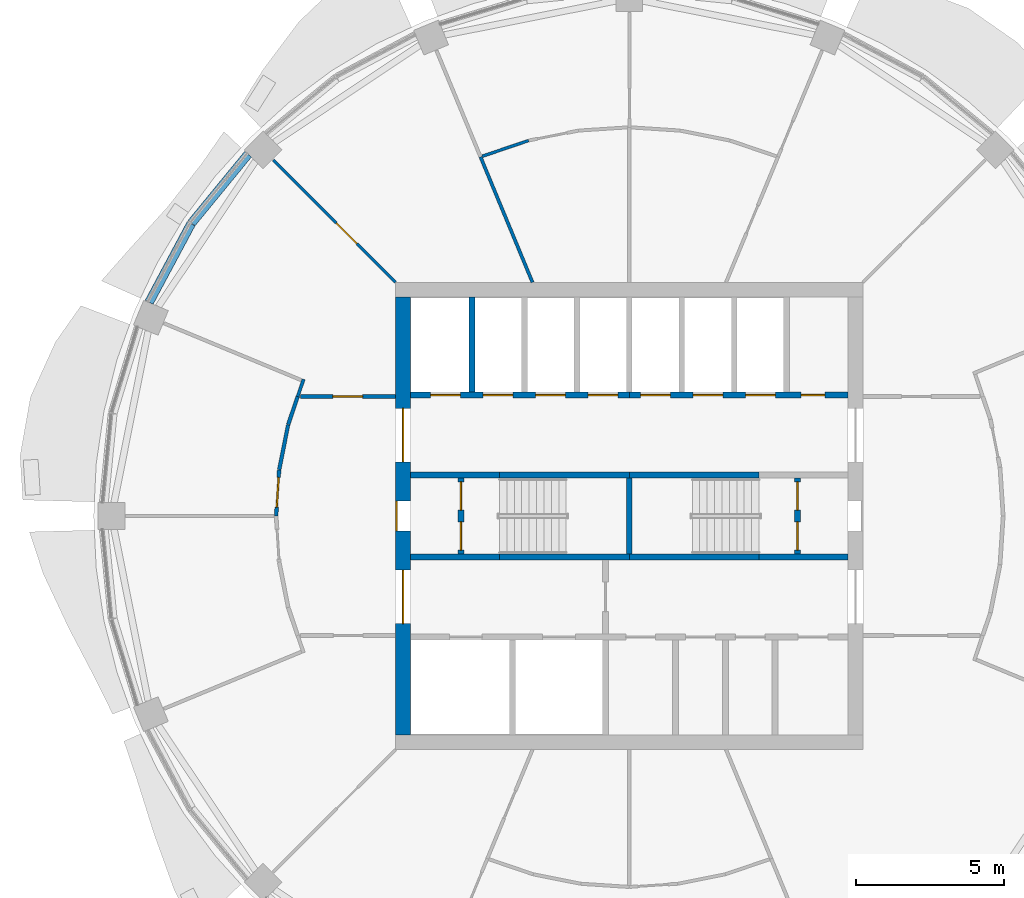
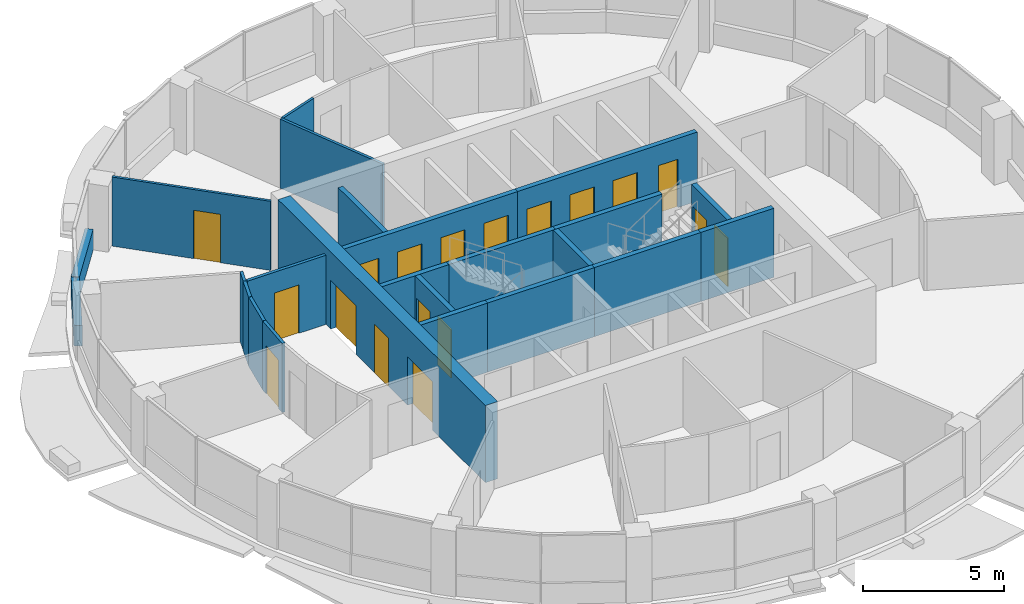
# One storey, part 9 of 15: 24 walls, 18 doors, 18 openings.
"""IFC4 building model written with IfcOpenShell, lengths in metres."""

from ifc_helpers import new_model, si_unit, direction, frame, frame_2d, origin, place, context, subcontext, project, spatial, rectangle, extrude, material, layer, layer_set, type_object, element, fill, save


model = new_model("IFC4")

# Units and contexts
model_context = context("Model", 3, precision=1e-05, world=origin(), true_north=direction((0.0, 1.0)))
body_context = subcontext(model_context, "Body", "Model", "MODEL_VIEW")
ifc_project = project(units=[si_unit("LENGTHUNIT", "METRE"), si_unit("AREAUNIT", "SQUARE_METRE"), si_unit("VOLUMEUNIT", "CUBIC_METRE"), si_unit("PLANEANGLEUNIT", "RADIAN"), si_unit("MASSUNIT", "GRAM", prefix="KILO")], contexts=[model_context])

# Site, building, storey
site_placement = place(None, origin())
site = spatial("IfcSite", under=ifc_project, at=site_placement, CompositionType="ELEMENT")
building_placement = place(site_placement, origin())
building = spatial("IfcBuilding", under=site, at=building_placement, Name="Polderwave Tower", CompositionType="ELEMENT")
storey_placement = place(building_placement, frame((0.0, 0.0, 191.0)))
storey = spatial("IfcBuildingStorey", under=building, at=storey_placement, Name="L51", CompositionType="ELEMENT", Elevation=191.0)

# Wall, openings, doors
ifc_material_1 = material(Name="Concrete C60/75", Category="concrete")
ifc_layer_1 = layer(ifc_material_1, 0.5)
ifc_layer_set_1 = layer_set([ifc_layer_1], Name="CORE WALL 500 C60/75")
wall_type_1 = type_object("IfcWallType", Name="CORE WALL 500 C60/75", PredefinedType="SHEAR", material=ifc_layer_set_1)
wall_1_placement = place(storey_placement, frame((-7.6240234375, -7.3740234375, 0.0), z_axis=(0.0, 0.0, 1.0), x_axis=(0.0, 1.0, 0.0)))
wall_1 = element("IfcWall", 1, at=wall_1_placement, inside=storey, type_object=wall_type_1, Name="ST-CORE-L51-W", PredefinedType="SHEAR", context=body_context, shape_type="SweptSolid", body=[
    extrude(rectangle(XDim=14.748046875, YDim=0.5, at=frame_2d((7.3740234375, 0.0))), origin(), (0.0, 0.0, 1.0), 3.35009765625),
])
opening_1_placement = place(wall_1_placement, frame((6.8740234375, 0.0, 0.0)))
opening_1 = element("IfcOpeningElement", 2, at=opening_1_placement, cuts=wall_1, Name="Opening L51-D20", PredefinedType="OPENING", context=body_context, shape_type="SweptSolid", body=[
    extrude(rectangle(XDim=1.0, YDim=2.10009765625, at=frame_2d((0.5, 1.050048828125))), frame((0.0, 0.260009765625, 0.0), z_axis=(0.0, -1.0, 0.0), x_axis=(1.0, 0.0, 0.0)), (0.0, 0.0, 1.0), 0.52001953125),
])
opening_2_placement = place(wall_1_placement, frame((3.74951171875, 0.0, 0.0)))
opening_2 = element("IfcOpeningElement", 3, at=opening_2_placement, cuts=wall_1, Name="Opening L51-D21", PredefinedType="OPENING", context=body_context, shape_type="SweptSolid", body=[
    extrude(rectangle(XDim=1.800048828125, YDim=2.10009765625, at=frame_2d((0.89990234375, 1.050048828125))), frame((0.0, 0.260009765625, 0.0), z_axis=(0.0, -1.0, 0.0), x_axis=(1.0, 0.0, 0.0)), (0.0, 0.0, 1.0), 0.52001953125),
])
opening_3_placement = place(wall_1_placement, frame((9.198486328125, 0.0, 0.0)))
opening_3 = element("IfcOpeningElement", 4, at=opening_3_placement, cuts=wall_1, Name="Opening L51-D22", PredefinedType="OPENING", context=body_context, shape_type="SweptSolid", body=[
    extrude(rectangle(XDim=1.800048828125, YDim=2.10009765625, at=frame_2d((0.89990234375, 1.050048828125))), frame((0.0, 0.260009765625, 0.0), z_axis=(0.0, -1.0, 0.0), x_axis=(1.0, 0.0, 0.0)), (0.0, 0.0, 1.0), 0.52001953125),
])
ifc_material_2 = material(Name="Steel fire door", Category="steel")
door_type_1 = type_object("IfcDoorType", Name="Lobby entry door pair 1800", OperationType="DOUBLE_DOOR_SINGLE_SWING", PredefinedType="DOOR", material=ifc_material_2)
door_1_placement = place(opening_2_placement, origin())
door_1 = element("IfcDoor", 5, at=door_1_placement, inside=storey, type_object=door_type_1, Name="Fire-fighting lobby entry door", OperationType="DOUBLE_DOOR_SINGLE_SWING", OverallHeight=2.10009765625, OverallWidth=1.800048828125, PredefinedType="DOOR", context=body_context, shape_type="SweptSolid", body=[
    extrude(rectangle(XDim=1.800048828125, YDim=2.10009765625, at=frame_2d((0.89990234375, 1.050048828125))), frame((0.0, 0.02490234375, 0.0), z_axis=(0.0, -1.0, 0.0), x_axis=(1.0, 0.0, 0.0)), (0.0, 0.0, 1.0), 0.050048828125),
])
fill(opening_2, door_1)
door_2_placement = place(opening_3_placement, origin())
door_2 = element("IfcDoor", 6, at=door_2_placement, inside=storey, type_object=door_type_1, Name="North lobby entry door", OperationType="DOUBLE_DOOR_SINGLE_SWING", OverallHeight=2.10009765625, OverallWidth=1.800048828125, PredefinedType="DOOR", context=body_context, shape_type="SweptSolid", body=[
    extrude(rectangle(XDim=1.800048828125, YDim=2.10009765625, at=frame_2d((0.89990234375, 1.050048828125))), frame((0.0, 0.02490234375, 0.0), z_axis=(0.0, -1.0, 0.0), x_axis=(1.0, 0.0, 0.0)), (0.0, 0.0, 1.0), 0.050048828125),
])
fill(opening_3, door_2)
door_type_2 = type_object("IfcDoorType", Name="Stair door 1000", OperationType="NOTDEFINED", PredefinedType="DOOR", material=ifc_material_2)
door_3_placement = place(opening_1_placement, origin())
door_3 = element("IfcDoor", 7, at=door_3_placement, inside=storey, type_object=door_type_2, Name="Stair A entry door", OperationType="SINGLE_SWING_RIGHT", OverallHeight=2.10009765625, OverallWidth=1.0, PredefinedType="DOOR", context=body_context, shape_type="SweptSolid", body=[
    extrude(rectangle(XDim=1.0, YDim=2.10009765625, at=frame_2d((0.5, 1.050048828125))), frame((0.0, 0.25, 0.0), z_axis=(0.0, -1.0, 0.0), x_axis=(1.0, 0.0, 0.0)), (0.0, 0.0, 1.0), 0.050048828125),
])
fill(opening_1, door_3)

# Walls
ifc_material_3 = material(Name="Concrete C50/60 (board-marked)", Category="concrete")
ifc_layer_2 = layer(ifc_material_3, 0.300048828125)
ifc_layer_set_2 = layer_set([ifc_layer_2], Name="Concrete spandrel upstand C50/60")
wall_type_2 = type_object("IfcWallType", Name="Concrete spandrel upstand C50/60", PredefinedType="SOLIDWALL", material=ifc_layer_set_2)
wall_2_placement = place(storey_placement, frame((-12.846435546875, 12.19140625, 0.0), z_axis=(0.0, 0.0, 1.0), x_axis=(-0.634208079217, -0.773162410012, 0.0)))
element("IfcWall", 8, at=wall_2_placement, inside=storey, type_object=wall_type_2, Name="Spandrel L51 7a", PredefinedType="SOLIDWALL", context=body_context, shape_type="SweptSolid", body=[
    extrude(rectangle(XDim=2.999267578125, YDim=0.300048828125, at=frame_2d((1.49951171875, 0.0))), origin(), (0.0, 0.0, 1.0), 0.89990234375),
])
wall_3_placement = place(storey_placement, frame((-14.76513671875, 9.847900390625, 0.0), z_axis=(0.0, 0.0, 1.0), x_axis=(-0.471572734074, -0.881827169278, 0.0)))
element("IfcWall", 9, at=wall_3_placement, inside=storey, type_object=wall_type_2, Name="Spandrel L51 7b", PredefinedType="SOLIDWALL", context=body_context, shape_type="SweptSolid", body=[
    extrude(rectangle(XDim=2.998046875, YDim=0.300048828125, at=frame_2d((1.4990234375, 0.0))), origin(), (0.0, 0.0, 1.0), 0.89990234375),
])

# Wall, openings, doors
ifc_material_4 = material(Name="Gypsum board partition")
ifc_layer_3 = layer(ifc_material_4, 0.199951171875)
ifc_layer_set_3 = layer_set([ifc_layer_3], Name="Core room partition 200")
wall_type_3 = type_object("IfcWallType", Name="Core room partition 200", PredefinedType="PARTITIONING", material=ifc_layer_set_3)
wall_4_placement = place(storey_placement, frame((-5.674072265625, -1.27490234375, 0.0), z_axis=(0.0, 0.0, 1.0), x_axis=(0.0, 1.0, 0.0)))
wall_4 = element("IfcWall", 10, at=wall_4_placement, inside=storey, type_object=wall_type_3, Name="L51 smoke lobby wall A", PredefinedType="PARTITIONING", context=body_context, shape_type="SweptSolid", body=[
    extrude(rectangle(XDim=2.5498046875, YDim=0.199951171875, at=frame_2d((1.27490234375, 0.0))), origin(), (0.0, 0.0, 1.0), 3.0),
])
opening_4_placement = place(wall_4_placement, frame((0.125, 0.0, 0.0)))
opening_4 = element("IfcOpeningElement", 11, at=opening_4_placement, cuts=wall_4, Name="Opening L51-D10", PredefinedType="OPENING", context=body_context, shape_type="SweptSolid", body=[
    extrude(rectangle(XDim=0.949951171875, YDim=2.10009765625, at=frame_2d((0.47509765625, 1.050048828125))), frame((0.0, 0.10986328125, 0.0), z_axis=(0.0, -1.0, 0.0), x_axis=(1.0, 0.0, 0.0)), (0.0, 0.0, 1.0), 0.219970703125),
])
opening_5_placement = place(wall_4_placement, frame((1.47509765625, 0.0, 0.0)))
opening_5 = element("IfcOpeningElement", 12, at=opening_5_placement, cuts=wall_4, Name="Opening L51-D11", PredefinedType="OPENING", context=body_context, shape_type="SweptSolid", body=[
    extrude(rectangle(XDim=0.949951171875, YDim=2.10009765625, at=frame_2d((0.47509765625, 1.050048828125))), frame((0.0, 0.10986328125, 0.0), z_axis=(0.0, -1.0, 0.0), x_axis=(1.0, 0.0, 0.0)), (0.0, 0.0, 1.0), 0.219970703125),
])
door_type_3 = type_object("IfcDoorType", Name="Smoke lobby door 950", OperationType="NOTDEFINED", PredefinedType="DOOR", material=ifc_material_2)
door_4_placement = place(opening_4_placement, origin())
door_4 = element("IfcDoor", 13, at=door_4_placement, inside=storey, type_object=door_type_3, Name="Stair A smoke lobby inner door", OperationType="SINGLE_SWING_LEFT", OverallHeight=2.10009765625, OverallWidth=0.949951171875, PredefinedType="DOOR", context=body_context, shape_type="SweptSolid", body=[
    extrude(rectangle(XDim=0.949951171875, YDim=2.10009765625, at=frame_2d((0.47509765625, 1.050048828125))), frame((0.0, 0.02490234375, 0.0), z_axis=(0.0, -1.0, 0.0), x_axis=(1.0, 0.0, 0.0)), (0.0, 0.0, 1.0), 0.050048828125),
])
fill(opening_4, door_4)
door_5_placement = place(opening_5_placement, origin())
door_5 = element("IfcDoor", 14, at=door_5_placement, inside=storey, type_object=door_type_3, Name="Stair A smoke lobby inner door", OperationType="SINGLE_SWING_RIGHT", OverallHeight=2.10009765625, OverallWidth=0.949951171875, PredefinedType="DOOR", context=body_context, shape_type="SweptSolid", body=[
    extrude(rectangle(XDim=0.949951171875, YDim=2.10009765625, at=frame_2d((0.47509765625, 1.050048828125))), frame((0.0, 0.02490234375, 0.0), z_axis=(0.0, -1.0, 0.0), x_axis=(1.0, 0.0, 0.0)), (0.0, 0.0, 1.0), 0.050048828125),
])
fill(opening_5, door_5)

wall_5_placement = place(storey_placement, frame((5.674072265625, -1.27490234375, 0.0), z_axis=(0.0, 0.0, 1.0), x_axis=(0.0, 1.0, 0.0)))
wall_5 = element("IfcWall", 15, at=wall_5_placement, inside=storey, type_object=wall_type_3, Name="L51 smoke lobby wall B", PredefinedType="PARTITIONING", context=body_context, shape_type="SweptSolid", body=[
    extrude(rectangle(XDim=2.5498046875, YDim=0.199951171875, at=frame_2d((1.27490234375, 0.0))), origin(), (0.0, 0.0, 1.0), 3.0),
])
opening_6_placement = place(wall_5_placement, frame((0.125, 0.0, 0.0)))
opening_6 = element("IfcOpeningElement", 16, at=opening_6_placement, cuts=wall_5, Name="Opening L51-D12", PredefinedType="OPENING", context=body_context, shape_type="SweptSolid", body=[
    extrude(rectangle(XDim=0.949951171875, YDim=2.10009765625, at=frame_2d((0.47509765625, 1.050048828125))), frame((0.0, 0.10986328125, 0.0), z_axis=(0.0, -1.0, 0.0), x_axis=(1.0, 0.0, 0.0)), (0.0, 0.0, 1.0), 0.219970703125),
])
opening_7_placement = place(wall_5_placement, frame((1.47509765625, 0.0, 0.0)))
opening_7 = element("IfcOpeningElement", 17, at=opening_7_placement, cuts=wall_5, Name="Opening L51-D13", PredefinedType="OPENING", context=body_context, shape_type="SweptSolid", body=[
    extrude(rectangle(XDim=0.949951171875, YDim=2.10009765625, at=frame_2d((0.47509765625, 1.050048828125))), frame((0.0, 0.10986328125, 0.0), z_axis=(0.0, -1.0, 0.0), x_axis=(1.0, 0.0, 0.0)), (0.0, 0.0, 1.0), 0.219970703125),
])
door_6_placement = place(opening_6_placement, frame((0.949951171875, 0.0, 0.0), z_axis=(0.0, 0.0, 1.0), x_axis=(-1.0, 0.0, 0.0)))
door_6 = element("IfcDoor", 18, at=door_6_placement, inside=storey, type_object=door_type_3, Name="Stair B smoke lobby inner door", OperationType="SINGLE_SWING_RIGHT", OverallHeight=2.10009765625, OverallWidth=0.949951171875, PredefinedType="DOOR", context=body_context, shape_type="SweptSolid", body=[
    extrude(rectangle(XDim=0.949951171875, YDim=2.10009765625, at=frame_2d((0.47509765625, 1.050048828125))), frame((0.0, 0.02490234375, 0.0), z_axis=(0.0, -1.0, 0.0), x_axis=(1.0, 0.0, 0.0)), (0.0, 0.0, 1.0), 0.050048828125),
])
fill(opening_6, door_6)
door_7_placement = place(opening_7_placement, frame((0.949951171875, 0.0, 0.0), z_axis=(0.0, 0.0, 1.0), x_axis=(-1.0, 0.0, 0.0)))
door_7 = element("IfcDoor", 19, at=door_7_placement, inside=storey, type_object=door_type_3, Name="Stair B smoke lobby inner door", OperationType="SINGLE_SWING_LEFT", OverallHeight=2.10009765625, OverallWidth=0.949951171875, PredefinedType="DOOR", context=body_context, shape_type="SweptSolid", body=[
    extrude(rectangle(XDim=0.949951171875, YDim=2.10009765625, at=frame_2d((0.47509765625, 1.050048828125))), frame((0.0, 0.02490234375, 0.0), z_axis=(0.0, -1.0, 0.0), x_axis=(1.0, 0.0, 0.0)), (0.0, 0.0, 1.0), 0.050048828125),
])
fill(opening_7, door_7)

ifc_material_5 = material(Name="Concrete C50/60", Category="concrete")
ifc_layer_4 = layer(ifc_material_5, 0.199951171875)
ifc_layer_set_4 = layer_set([ifc_layer_4], Name="Core web wall 200")
wall_type_4 = type_object("IfcWallType", Name="Core web wall 200", PredefinedType="SHEAR", material=ifc_layer_set_4)
wall_6_placement = place(storey_placement, frame((-7.3740234375, 4.073974609375, 0.0), z_axis=(0.0, 0.0, 1.0), x_axis=(1.0, 0.0, 0.0)))
wall_6 = element("IfcWall", 20, at=wall_6_placement, inside=storey, type_object=wall_type_4, Name="L51 north front wall 1", PredefinedType="SHEAR", context=body_context, shape_type="SweptSolid", body=[
    extrude(rectangle(XDim=7.3740234375, YDim=0.199951171875, at=frame_2d((3.68701171875, 0.0))), origin(), (0.0, 0.0, 1.0), 3.0),
])
opening_8_placement = place(wall_6_placement, frame((0.68408203125, 0.0, 0.0)))
opening_8 = element("IfcOpeningElement", 21, at=opening_8_placement, cuts=wall_6, Name="Opening L51-D03", PredefinedType="OPENING", context=body_context, shape_type="SweptSolid", body=[
    extrude(rectangle(XDim=1.0, YDim=2.10009765625, at=frame_2d((0.5, 1.050048828125))), frame((0.0, 0.10986328125, 0.0), z_axis=(0.0, -1.0, 0.0), x_axis=(1.0, 0.0, 0.0)), (0.0, 0.0, 1.0), 0.219970703125),
])
opening_9_placement = place(wall_6_placement, frame((2.45263671875, 0.0, 0.0)))
opening_9 = element("IfcOpeningElement", 22, at=opening_9_placement, cuts=wall_6, Name="Opening L51-D04", PredefinedType="OPENING", context=body_context, shape_type="SweptSolid", body=[
    extrude(rectangle(XDim=1.0, YDim=2.10009765625, at=frame_2d((0.5, 1.050048828125))), frame((0.0, 0.10986328125, 0.0), z_axis=(0.0, -1.0, 0.0), x_axis=(1.0, 0.0, 0.0)), (0.0, 0.0, 1.0), 0.219970703125),
])
opening_10_placement = place(wall_6_placement, frame((4.22119140625, 0.0, 0.0)))
opening_10 = element("IfcOpeningElement", 23, at=opening_10_placement, cuts=wall_6, Name="Opening L51-D05", PredefinedType="OPENING", context=body_context, shape_type="SweptSolid", body=[
    extrude(rectangle(XDim=1.0, YDim=2.10009765625, at=frame_2d((0.5, 1.050048828125))), frame((0.0, 0.10986328125, 0.0), z_axis=(0.0, -1.0, 0.0), x_axis=(1.0, 0.0, 0.0)), (0.0, 0.0, 1.0), 0.219970703125),
])
opening_11_placement = place(wall_6_placement, frame((5.98974609375, 0.0, 0.0)))
opening_11 = element("IfcOpeningElement", 24, at=opening_11_placement, cuts=wall_6, Name="Opening L51-D06", PredefinedType="OPENING", context=body_context, shape_type="SweptSolid", body=[
    extrude(rectangle(XDim=1.0, YDim=2.10009765625, at=frame_2d((0.5, 1.050048828125))), frame((0.0, 0.10986328125, 0.0), z_axis=(0.0, -1.0, 0.0), x_axis=(1.0, 0.0, 0.0)), (0.0, 0.0, 1.0), 0.219970703125),
])
ifc_material_6 = material(Name="Stainless steel", Category="steel")
door_type_4 = type_object("IfcDoorType", Name="Lift landing door 1000", OperationType="DOUBLE_DOOR_SLIDING", PredefinedType="DOOR", material=ifc_material_6)
door_8_placement = place(opening_8_placement, frame((1.0, 0.0, 0.0), z_axis=(0.0, 0.0, 1.0), x_axis=(-1.0, 0.0, 0.0)))
door_8 = element("IfcDoor", 25, at=door_8_placement, inside=storey, type_object=door_type_4, Name="Lift HL1 landing door", OperationType="DOUBLE_DOOR_SLIDING", OverallHeight=2.10009765625, OverallWidth=1.0, PredefinedType="DOOR", context=body_context, shape_type="SweptSolid", body=[
    extrude(rectangle(XDim=1.0, YDim=2.10009765625, at=frame_2d((0.5, 1.050048828125))), frame((0.0, 0.02490234375, 0.0), z_axis=(0.0, -1.0, 0.0), x_axis=(1.0, 0.0, 0.0)), (0.0, 0.0, 1.0), 0.050048828125),
])
fill(opening_8, door_8)
door_9_placement = place(opening_9_placement, frame((1.0, 0.0, 0.0), z_axis=(0.0, 0.0, 1.0), x_axis=(-1.0, 0.0, 0.0)))
door_9 = element("IfcDoor", 26, at=door_9_placement, inside=storey, type_object=door_type_4, Name="Lift HL2 landing door", OperationType="DOUBLE_DOOR_SLIDING", OverallHeight=2.10009765625, OverallWidth=1.0, PredefinedType="DOOR", context=body_context, shape_type="SweptSolid", body=[
    extrude(rectangle(XDim=1.0, YDim=2.10009765625, at=frame_2d((0.5, 1.050048828125))), frame((0.0, 0.02490234375, 0.0), z_axis=(0.0, -1.0, 0.0), x_axis=(1.0, 0.0, 0.0)), (0.0, 0.0, 1.0), 0.050048828125),
])
fill(opening_9, door_9)
door_10_placement = place(opening_10_placement, frame((1.0, 0.0, 0.0), z_axis=(0.0, 0.0, 1.0), x_axis=(-1.0, 0.0, 0.0)))
door_10 = element("IfcDoor", 27, at=door_10_placement, inside=storey, type_object=door_type_4, Name="Lift HL3 landing door", OperationType="DOUBLE_DOOR_SLIDING", OverallHeight=2.10009765625, OverallWidth=1.0, PredefinedType="DOOR", context=body_context, shape_type="SweptSolid", body=[
    extrude(rectangle(XDim=1.0, YDim=2.10009765625, at=frame_2d((0.5, 1.050048828125))), frame((0.0, 0.02490234375, 0.0), z_axis=(0.0, -1.0, 0.0), x_axis=(1.0, 0.0, 0.0)), (0.0, 0.0, 1.0), 0.050048828125),
])
fill(opening_10, door_10)
door_11_placement = place(opening_11_placement, frame((1.0, 0.0, 0.0), z_axis=(0.0, 0.0, 1.0), x_axis=(-1.0, 0.0, 0.0)))
door_11 = element("IfcDoor", 28, at=door_11_placement, inside=storey, type_object=door_type_4, Name="Lift HL4 landing door", OperationType="DOUBLE_DOOR_SLIDING", OverallHeight=2.10009765625, OverallWidth=1.0, PredefinedType="DOOR", context=body_context, shape_type="SweptSolid", body=[
    extrude(rectangle(XDim=1.0, YDim=2.10009765625, at=frame_2d((0.5, 1.050048828125))), frame((0.0, 0.02490234375, 0.0), z_axis=(0.0, -1.0, 0.0), x_axis=(1.0, 0.0, 0.0)), (0.0, 0.0, 1.0), 0.050048828125),
])
fill(opening_11, door_11)

wall_7_placement = place(storey_placement, frame((0.0, 4.073974609375, 0.0), z_axis=(0.0, 0.0, 1.0), x_axis=(1.0, 0.0, 0.0)))
wall_7 = element("IfcWall", 29, at=wall_7_placement, inside=storey, type_object=wall_type_4, Name="L51 north front wall 2", PredefinedType="SHEAR", context=body_context, shape_type="SweptSolid", body=[
    extrude(rectangle(XDim=7.3740234375, YDim=0.199951171875, at=frame_2d((3.68701171875, 0.0))), origin(), (0.0, 0.0, 1.0), 3.0),
])
opening_12_placement = place(wall_7_placement, frame((0.38427734375, 0.0, 0.0)))
opening_12 = element("IfcOpeningElement", 30, at=opening_12_placement, cuts=wall_7, Name="Opening L51-D07", PredefinedType="OPENING", context=body_context, shape_type="SweptSolid", body=[
    extrude(rectangle(XDim=1.0, YDim=2.10009765625, at=frame_2d((0.5, 1.050048828125))), frame((0.0, 0.10986328125, 0.0), z_axis=(0.0, -1.0, 0.0), x_axis=(1.0, 0.0, 0.0)), (0.0, 0.0, 1.0), 0.219970703125),
])
opening_13_placement = place(wall_7_placement, frame((2.15283203125, 0.0, 0.0)))
opening_13 = element("IfcOpeningElement", 31, at=opening_13_placement, cuts=wall_7, Name="Opening L51-D08", PredefinedType="OPENING", context=body_context, shape_type="SweptSolid", body=[
    extrude(rectangle(XDim=1.0, YDim=2.10009765625, at=frame_2d((0.5, 1.050048828125))), frame((0.0, 0.10986328125, 0.0), z_axis=(0.0, -1.0, 0.0), x_axis=(1.0, 0.0, 0.0)), (0.0, 0.0, 1.0), 0.219970703125),
])
opening_14_placement = place(wall_7_placement, frame((3.921142578125, 0.0, 0.0)))
opening_14 = element("IfcOpeningElement", 32, at=opening_14_placement, cuts=wall_7, Name="Opening L51-D09", PredefinedType="OPENING", context=body_context, shape_type="SweptSolid", body=[
    extrude(rectangle(XDim=1.0, YDim=2.10009765625, at=frame_2d((0.5, 1.050048828125))), frame((0.0, 0.10986328125, 0.0), z_axis=(0.0, -1.0, 0.0), x_axis=(1.0, 0.0, 0.0)), (0.0, 0.0, 1.0), 0.219970703125),
])
opening_15_placement = place(wall_7_placement, frame((5.789794921875, 0.0, 0.0)))
opening_15 = element("IfcOpeningElement", 33, at=opening_15_placement, cuts=wall_7, Name="Opening L51-D19", PredefinedType="OPENING", context=body_context, shape_type="SweptSolid", body=[
    extrude(rectangle(XDim=0.800048828125, YDim=2.10009765625, at=frame_2d((0.39990234375, 1.050048828125))), frame((0.0, 0.10986328125, 0.0), z_axis=(0.0, -1.0, 0.0), x_axis=(1.0, 0.0, 0.0)), (0.0, 0.0, 1.0), 0.219970703125),
])
door_12_placement = place(opening_12_placement, frame((1.0, 0.0, 0.0), z_axis=(0.0, 0.0, 1.0), x_axis=(-1.0, 0.0, 0.0)))
door_12 = element("IfcDoor", 34, at=door_12_placement, inside=storey, type_object=door_type_4, Name="Lift HL5 landing door", OperationType="DOUBLE_DOOR_SLIDING", OverallHeight=2.10009765625, OverallWidth=1.0, PredefinedType="DOOR", context=body_context, shape_type="SweptSolid", body=[
    extrude(rectangle(XDim=1.0, YDim=2.10009765625, at=frame_2d((0.5, 1.050048828125))), frame((0.0, 0.02490234375, 0.0), z_axis=(0.0, -1.0, 0.0), x_axis=(1.0, 0.0, 0.0)), (0.0, 0.0, 1.0), 0.050048828125),
])
fill(opening_12, door_12)
door_13_placement = place(opening_13_placement, frame((1.0, 0.0, 0.0), z_axis=(0.0, 0.0, 1.0), x_axis=(-1.0, 0.0, 0.0)))
door_13 = element("IfcDoor", 35, at=door_13_placement, inside=storey, type_object=door_type_4, Name="Lift HL6 landing door", OperationType="DOUBLE_DOOR_SLIDING", OverallHeight=2.10009765625, OverallWidth=1.0, PredefinedType="DOOR", context=body_context, shape_type="SweptSolid", body=[
    extrude(rectangle(XDim=1.0, YDim=2.10009765625, at=frame_2d((0.5, 1.050048828125))), frame((0.0, 0.02490234375, 0.0), z_axis=(0.0, -1.0, 0.0), x_axis=(1.0, 0.0, 0.0)), (0.0, 0.0, 1.0), 0.050048828125),
])
fill(opening_13, door_13)
door_14_placement = place(opening_14_placement, frame((1.0, 0.0, 0.0), z_axis=(0.0, 0.0, 1.0), x_axis=(-1.0, 0.0, 0.0)))
door_14 = element("IfcDoor", 36, at=door_14_placement, inside=storey, type_object=door_type_4, Name="Lift HL7 landing door", OperationType="DOUBLE_DOOR_SLIDING", OverallHeight=2.10009765625, OverallWidth=1.0, PredefinedType="DOOR", context=body_context, shape_type="SweptSolid", body=[
    extrude(rectangle(XDim=1.0, YDim=2.10009765625, at=frame_2d((0.5, 1.050048828125))), frame((0.0, 0.02490234375, 0.0), z_axis=(0.0, -1.0, 0.0), x_axis=(1.0, 0.0, 0.0)), (0.0, 0.0, 1.0), 0.050048828125),
])
fill(opening_14, door_14)
door_type_5 = type_object("IfcDoorType", Name="Riser door 800", OperationType="NOTDEFINED", PredefinedType="DOOR", material=ifc_material_2)
door_15_placement = place(opening_15_placement, frame((0.800048828125, 0.0, 0.0), z_axis=(0.0, 0.0, 1.0), x_axis=(-1.0, 0.0, 0.0)))
door_15 = element("IfcDoor", 37, at=door_15_placement, inside=storey, type_object=door_type_5, Name="Riser door", OperationType="SINGLE_SWING_LEFT", OverallHeight=2.10009765625, OverallWidth=0.800048828125, PredefinedType="DOOR", context=body_context, shape_type="SweptSolid", body=[
    extrude(rectangle(XDim=0.800048828125, YDim=2.10009765625, at=frame_2d((0.39990234375, 1.050048828125))), frame((0.0, 0.02490234375, 0.0), z_axis=(0.0, -1.0, 0.0), x_axis=(1.0, 0.0, 0.0)), (0.0, 0.0, 1.0), 0.050048828125),
])
fill(opening_15, door_15)

# Walls
wall_8_placement = place(storey_placement, frame((-7.3740234375, -1.375, 0.0), z_axis=(0.0, 0.0, 1.0), x_axis=(1.0, 0.0, 0.0)))
element("IfcWall", 38, at=wall_8_placement, inside=storey, type_object=wall_type_4, Name="L51 south stair wall 1", PredefinedType="SHEAR", context=body_context, shape_type="SweptSolid", body=[
    extrude(rectangle(XDim=3.0, YDim=0.199951171875, at=frame_2d((1.5, 0.0))), origin(), (0.0, 0.0, 1.0), 3.0),
])
for number, where, z_axis, x_axis, name in (
    (39, (-4.3740234375, -1.375, 0.0), (0.0, 0.0, 1.0), (1.0, 0.0, 0.0), "L51 south stair wall 2"),
    (40, (0.0, -1.375, 0.0), (0.0, 0.0, 1.0), (1.0, 0.0, 0.0), "L51 south stair wall 3"),
):
    element("IfcWall", number, at=place(storey_placement, frame(where, z_axis=z_axis, x_axis=x_axis)), inside=storey, type_object=wall_type_4, Name=name, PredefinedType="SHEAR", context=body_context, shape_type="SweptSolid", body=[
        extrude(rectangle(XDim=4.3740234375, YDim=0.199951171875, at=frame_2d((2.18701171875, 0.0))), origin(), (0.0, 0.0, 1.0), 3.0),
    ])
for number, where, z_axis, x_axis, name in (
    (41, (4.3740234375, -1.375, 0.0), (0.0, 0.0, 1.0), (1.0, 0.0, 0.0), "L51 south stair wall 4"),
    (42, (-7.3740234375, 1.375, 0.0), (0.0, 0.0, 1.0), (1.0, 0.0, 0.0), "L51 north stair wall 1"),
):
    element("IfcWall", number, at=place(storey_placement, frame(where, z_axis=z_axis, x_axis=x_axis)), inside=storey, type_object=wall_type_4, Name=name, PredefinedType="SHEAR", context=body_context, shape_type="SweptSolid", body=[
        extrude(rectangle(XDim=3.0, YDim=0.199951171875, at=frame_2d((1.5, 0.0))), origin(), (0.0, 0.0, 1.0), 3.0),
    ])
for number, where, z_axis, x_axis, name in (
    (43, (-4.3740234375, 1.375, 0.0), (0.0, 0.0, 1.0), (1.0, 0.0, 0.0), "L51 north stair wall 2"),
    (44, (0.0, 1.375, 0.0), (0.0, 0.0, 1.0), (1.0, 0.0, 0.0), "L51 north stair wall 3"),
):
    element("IfcWall", number, at=place(storey_placement, frame(where, z_axis=z_axis, x_axis=x_axis)), inside=storey, type_object=wall_type_4, Name=name, PredefinedType="SHEAR", context=body_context, shape_type="SweptSolid", body=[
        extrude(rectangle(XDim=4.3740234375, YDim=0.199951171875, at=frame_2d((2.18701171875, 0.0))), origin(), (0.0, 0.0, 1.0), 3.0),
    ])
wall_9_placement = place(storey_placement, frame((0.0, -1.27490234375, 0.0), z_axis=(0.0, 0.0, 1.0), x_axis=(0.0, 1.0, 0.0)))
element("IfcWall", 45, at=wall_9_placement, inside=storey, type_object=wall_type_4, Name="L51 wall between the stairs", PredefinedType="SHEAR", context=body_context, shape_type="SweptSolid", body=[
    extrude(rectangle(XDim=2.5498046875, YDim=0.199951171875, at=frame_2d((1.27490234375, 0.0))), origin(), (0.0, 0.0, 1.0), 3.0),
])

# Wall, opening, door
ifc_material_7 = material(Name="Fire-resisting board on steel studs", Category="steel")
ifc_layer_5 = layer(ifc_material_7, 0.125)
ifc_layer_set_5 = layer_set([ifc_layer_5], Name="Corridor wall 125 mm EI 60")
wall_type_5 = type_object("IfcWallType", Name="Corridor wall 125 mm EI 60", PredefinedType="PARTITIONING", material=ifc_layer_set_5)
wall_10_placement = place(storey_placement, frame((-11.086669921875, 4.0244140625, 0.0), z_axis=(0.0, 0.0, 1.0), x_axis=(1.0, 0.0, 0.0)))
wall_10 = element("IfcWall", 46, at=wall_10_placement, inside=storey, type_object=wall_type_5, Name="IN-L51-W009", PredefinedType="PARTITIONING", context=body_context, shape_type="SweptSolid", body=[
    extrude(rectangle(XDim=3.212646484375, YDim=0.125, at=frame_2d((1.6064453125, 0.0))), origin(), (0.0, 0.0, 1.0), 3.0),
])
opening_16_placement = place(wall_10_placement, frame((1.10009765625, 0.0, 0.0)))
opening_16 = element("IfcOpeningElement", 47, at=opening_16_placement, cuts=wall_10, Name="Opening L51-D53", PredefinedType="OPENING", context=body_context, shape_type="SweptSolid", body=[
    extrude(rectangle(XDim=1.0, YDim=2.10009765625, at=frame_2d((0.5, 1.050048828125))), frame((0.0, 0.072509765625, 0.0), z_axis=(0.0, -1.0, 0.0), x_axis=(1.0, 0.0, 0.0)), (0.0, 0.0, 1.0), 0.14501953125),
])
ifc_material_8 = material(Name="Timber fire door leaf", Category="wood")
door_type_6 = type_object("IfcDoorType", Name="Fire door FD30S 1000 x 2100", OperationType="NOTDEFINED", PredefinedType="DOOR", material=ifc_material_8)
door_16_placement = place(opening_16_placement, origin())
door_16 = element("IfcDoor", 48, at=door_16_placement, inside=storey, type_object=door_type_6, Name="Door L51-D53", OperationType="SINGLE_SWING_LEFT", OverallHeight=2.10009765625, OverallWidth=1.0, PredefinedType="DOOR", context=body_context, shape_type="SweptSolid", body=[
    extrude(rectangle(XDim=1.0, YDim=2.10009765625, at=frame_2d((0.5, 1.050048828125))), frame((0.0, 0.02490234375, 0.0), z_axis=(0.0, -1.0, 0.0), x_axis=(1.0, 0.0, 0.0)), (0.0, 0.0, 1.0), 0.050048828125),
])
fill(opening_16, door_16)

wall_11_placement = place(storey_placement, frame((-11.89990234375, 0.0, 0.0), z_axis=(0.0, 0.0, 1.0), x_axis=(0.065256137235, 0.99786854673, 0.0)))
wall_11 = element("IfcWall", 49, at=wall_11_placement, inside=storey, type_object=wall_type_5, Name="IN-L51-W010", PredefinedType="PARTITIONING", context=body_context, shape_type="SweptSolid", body=[
    extrude(rectangle(XDim=1.552734375, YDim=0.125, at=frame_2d((0.7763671875, 0.0))), origin(), (0.0, 0.0, 1.0), 3.0),
])
opening_17_placement = place(wall_11_placement, frame((0.300048828125, 0.0, 0.0)))
opening_17 = element("IfcOpeningElement", 50, at=opening_17_placement, cuts=wall_11, Name="Opening L51-D54", PredefinedType="OPENING", context=body_context, shape_type="SweptSolid", body=[
    extrude(rectangle(XDim=1.0, YDim=2.10009765625, at=frame_2d((0.5, 1.050048828125))), frame((0.0, 0.072509765625, 0.0), z_axis=(0.0, -1.0, 0.0), x_axis=(1.0, 0.0, 0.0)), (0.0, 0.0, 1.0), 0.14501953125),
])
door_17_placement = place(opening_17_placement, origin())
door_17 = element("IfcDoor", 51, at=door_17_placement, inside=storey, type_object=door_type_6, Name="Door L51-D54", OperationType="SINGLE_SWING_RIGHT", OverallHeight=2.10009765625, OverallWidth=1.0, PredefinedType="DOOR", context=body_context, shape_type="SweptSolid", body=[
    extrude(rectangle(XDim=1.0, YDim=2.10009765625, at=frame_2d((0.5, 1.050048828125))), frame((0.0, 0.02490234375, 0.0), z_axis=(0.0, -1.0, 0.0), x_axis=(1.0, 0.0, 0.0)), (0.0, 0.0, 1.0), 0.050048828125),
])
fill(opening_17, door_17)

# Walls
wall_12_placement = place(storey_placement, frame((-11.79736328125, 1.557373046875, 0.0), z_axis=(0.0, 0.0, 1.0), x_axis=(0.195054687935, 0.98079236779, 0.0)))
element("IfcWall", 52, at=wall_12_placement, inside=storey, type_object=wall_type_5, Name="IN-L51-W011", PredefinedType="PARTITIONING", context=body_context, shape_type="SweptSolid", body=[
    extrude(rectangle(XDim=1.54833984375, YDim=0.125, at=frame_2d((0.774169921875, 0.0))), origin(), (0.0, 0.0, 1.0), 3.0),
])
wall_13_placement = place(storey_placement, frame((-11.4931640625, 3.083740234375, 0.0), z_axis=(0.0, 0.0, 1.0), x_axis=(0.321457698768, 0.946923939872, 0.0)))
element("IfcWall", 53, at=wall_13_placement, inside=storey, type_object=wall_type_5, Name="IN-L51-W012", PredefinedType="PARTITIONING", context=body_context, shape_type="SweptSolid", body=[
    extrude(rectangle(XDim=0.993408203125, YDim=0.125, at=frame_2d((0.49658203125, 0.0))), origin(), (0.0, 0.0, 1.0), 3.0),
])
ifc_material_9 = material(Name="Plasterboard on steel studs", Category="steel")
ifc_layer_6 = layer(ifc_material_9, 0.10009765625)
ifc_layer_set_6 = layer_set([ifc_layer_6], Name="Partition 100 mm plasterboard on steel studs")
wall_type_6 = type_object("IfcWallType", Name="Partition 100 mm plasterboard on steel studs", PredefinedType="PARTITIONING", material=ifc_layer_set_6)
wall_14_placement = place(storey_placement, frame((-4.9580078125, 12.12158203125, 0.0), z_axis=(0.0, 0.0, 1.0), x_axis=(0.94694015461, 0.321409930755, 0.0)))
element("IfcWall", 54, at=wall_14_placement, inside=storey, type_object=wall_type_6, Name="IN-L51-W029", PredefinedType="PARTITIONING", context=body_context, shape_type="SweptSolid", body=[
    extrude(rectangle(XDim=1.652099609375, YDim=0.10009765625, at=frame_2d((0.826171875, 0.0))), origin(), (0.0, 0.0, 1.0), 3.0),
])

# Wall, opening, door
wall_15_placement = place(storey_placement, frame((-11.99951171875, 11.99951171875, 0.0), z_axis=(0.0, 0.0, 1.0), x_axis=(0.707106781187, -0.707106781187, 0.0)))
wall_15 = element("IfcWall", 55, at=wall_15_placement, inside=storey, type_object=wall_type_6, Name="IN-L51-W034", PredefinedType="PARTITIONING", context=body_context, shape_type="SweptSolid", body=[
    extrude(rectangle(XDim=5.834228515625, YDim=0.10009765625, at=frame_2d((2.9169921875, 0.0))), origin(), (0.0, 0.0, 1.0), 3.0),
])
opening_18_placement = place(wall_15_placement, frame((3.0, 0.0, 0.0)))
opening_18 = element("IfcOpeningElement", 56, at=opening_18_placement, cuts=wall_15, Name="Opening L51-D62", PredefinedType="OPENING", context=body_context, shape_type="SweptSolid", body=[
    extrude(rectangle(XDim=1.0, YDim=2.10009765625, at=frame_2d((0.5, 1.050048828125))), frame((0.0, 0.06005859375, 0.0), z_axis=(0.0, -1.0, 0.0), x_axis=(1.0, 0.0, 0.0)), (0.0, 0.0, 1.0), 0.1201171875),
])
ifc_material_10 = material(Name="Timber veneer door leaf", Category="wood")
door_type_7 = type_object("IfcDoorType", Name="Single door 1000 x 2100", OperationType="NOTDEFINED", PredefinedType="DOOR", material=ifc_material_10)
door_18_placement = place(opening_18_placement, origin())
door_18 = element("IfcDoor", 57, at=door_18_placement, inside=storey, type_object=door_type_7, Name="Door L51-D62", OperationType="SINGLE_SWING_RIGHT", OverallHeight=2.10009765625, OverallWidth=1.0, PredefinedType="DOOR", context=body_context, shape_type="SweptSolid", body=[
    extrude(rectangle(XDim=1.0, YDim=2.10009765625, at=frame_2d((0.5, 1.050048828125))), frame((0.0, 0.02490234375, 0.0), z_axis=(0.0, -1.0, 0.0), x_axis=(1.0, 0.0, 0.0)), (0.0, 0.0, 1.0), 0.050048828125),
])
fill(opening_18, door_18)

# Walls
ifc_material_11 = material(Name="Acoustic double plasterboard on steel studs", Category="steel")
ifc_layer_7 = layer(ifc_material_11, 0.110107421875)
ifc_layer_set_7 = layer_set([ifc_layer_7], Name="Partition 110 mm acoustic double board")
wall_type_7 = type_object("IfcWallType", Name="Partition 110 mm acoustic double board", PredefinedType="PARTITIONING", material=ifc_layer_set_7)
wall_16_placement = place(storey_placement, frame((-3.261474609375, 7.8740234375, 0.0), z_axis=(0.0, 0.0, 1.0), x_axis=(-0.382701956612, 0.923871859299, 0.0)))
element("IfcWall", 58, at=wall_16_placement, inside=storey, type_object=wall_type_7, Name="IN-L51-W032", PredefinedType="PARTITIONING", context=body_context, shape_type="SweptSolid", body=[
    extrude(rectangle(XDim=4.5771484375, YDim=0.110107421875, at=frame_2d((2.28857421875, 0.0))), origin(), (0.0, 0.0, 1.0), 3.0),
])
wall_17_placement = place(storey_placement, frame((-11.173828125, 4.0244140625, 0.0), z_axis=(0.0, 0.0, 1.0), x_axis=(0.321232679022, 0.947000298801, 0.0)))
element("IfcWall", 59, at=wall_17_placement, inside=storey, type_object=wall_type_7, Name="IN-L51-W035", PredefinedType="PARTITIONING", context=body_context, shape_type="SweptSolid", body=[
    extrude(rectangle(XDim=0.614013671875, YDim=0.110107421875, at=frame_2d((0.30712890625, 0.0))), origin(), (0.0, 0.0, 1.0), 3.0),
])
ifc_material_12 = material(Name="Gypsum shaft wall system")
ifc_layer_8 = layer(ifc_material_12, 0.199951171875)
ifc_layer_set_8 = layer_set([ifc_layer_8], Name="Shaft wall 200")
wall_type_8 = type_object("IfcWallType", Name="Shaft wall 200", PredefinedType="PARTITIONING", material=ifc_layer_set_8)
wall_18_placement = place(storey_placement, frame((-5.305419921875, 4.174072265625, 0.0), z_axis=(0.0, 0.0, 1.0), x_axis=(0.0, 1.0, 0.0)))
element("IfcWall", 60, at=wall_18_placement, inside=storey, type_object=wall_type_8, Name="L51 lift shaft wall N1", PredefinedType="PARTITIONING", context=body_context, shape_type="SweptSolid", body=[
    extrude(rectangle(XDim=3.199951171875, YDim=0.199951171875, at=frame_2d((1.60009765625, 0.0))), origin(), (0.0, 0.0, 1.0), 3.0),
])

save(model, "model.ifc")
